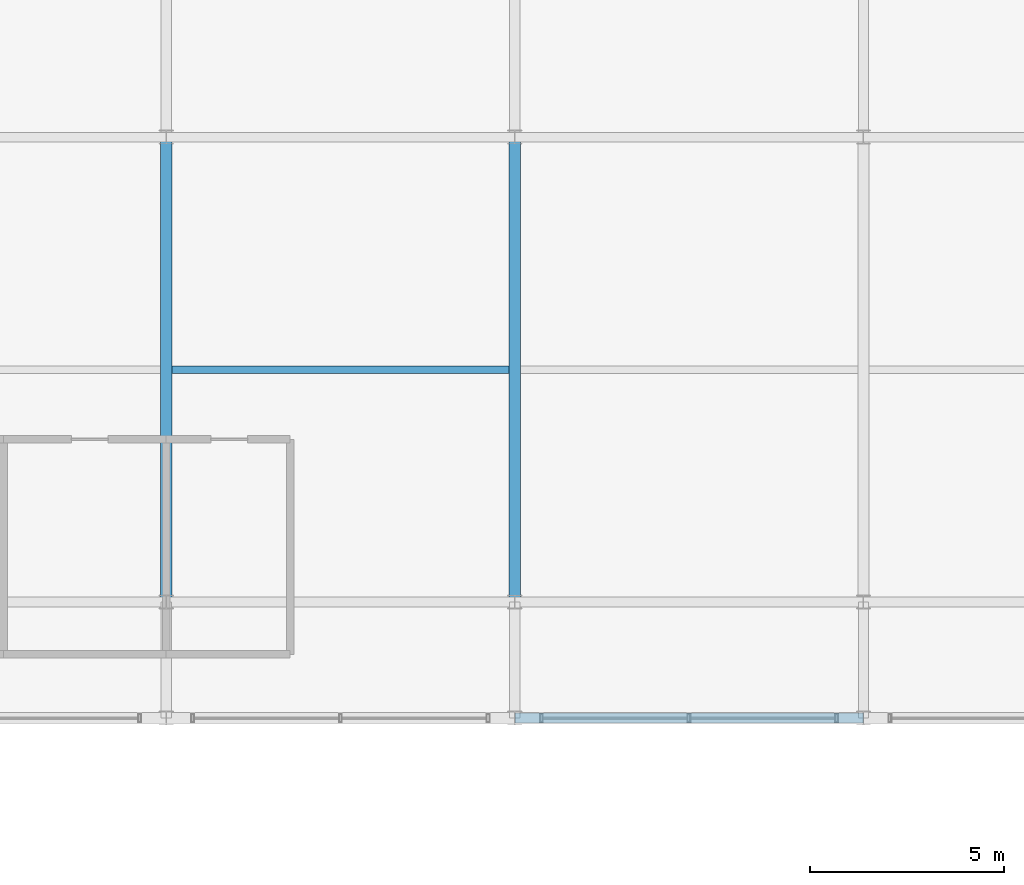
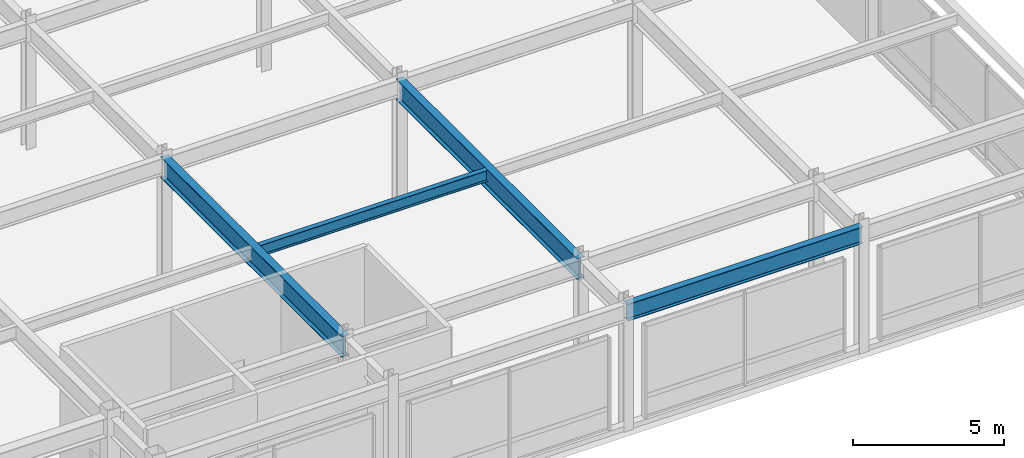
# One storey, part 62 of 100: 4 beams.
"""IFC4 building model written with IfcOpenShell, lengths in metres."""

from ifc_helpers import new_model, si_unit, direction, frame, origin, origin_2d, place, context, subcontext, project, spatial, i_section, extrude, material, material_profile, profile_set, type_object, element, save


model = new_model("IFC4")

# Units and contexts
model_context = context("Model", 3, precision=1e-05, world=origin(), true_north=direction((0.0, 1.0)))
body_context = subcontext(model_context, "Body", "Model", "MODEL_VIEW")
ifc_project = project(units=[si_unit("LENGTHUNIT", "METRE"), si_unit("AREAUNIT", "SQUARE_METRE"), si_unit("VOLUMEUNIT", "CUBIC_METRE"), si_unit("PLANEANGLEUNIT", "RADIAN"), si_unit("MASSUNIT", "GRAM", prefix="KILO")], contexts=[model_context])

# Site, building, storey
site_placement = place(None, origin())
site = spatial("IfcSite", under=ifc_project, at=site_placement, CompositionType="ELEMENT")
building_placement = place(site_placement, origin())
building = spatial("IfcBuilding", under=site, at=building_placement, Name="Kaldorvane Square Convention Centre", CompositionType="ELEMENT")
storey_placement = place(building_placement, frame((0.0, 0.0, 18.0)))
storey = spatial("IfcBuildingStorey", under=building, at=storey_placement, Name="L03", CompositionType="ELEMENT", Elevation=18.0)

# Beams
ifc_material = material(Name="Steel ASTM A992 Gr. 50", Category="steel")
ifc_material_profile_1 = material_profile(ifc_material, i_section(OverallWidth=0.25439453125, OverallDepth=0.6880950927734375, WebThickness=0.0131072998046875, FlangeThickness=0.0211029052734375, FilletRadius=0.01519775390625, at=origin_2d()), Name="W27X102")
ifc_profile_set_1 = profile_set([ifc_material_profile_1], Name="Steel ASTM A992 Gr. 50")
beam_type_1 = type_object("IfcBeamType", Name="BM-GR-W27X102", PredefinedType="BEAM", material=ifc_profile_set_1)
beam_1_placement = place(storey_placement, frame((156.0, 81.0, 4.731903076171875), z_axis=(1.0, 0.0, 0.0), x_axis=(0.0, 1.0, 0.0)))
element("IfcBeam", 1, at=beam_1_placement, inside=storey, type_object=beam_type_1, Name="Primary Girder (L03)", PredefinedType="BEAM", context=body_context, shape_type="SweptSolid", body=[
    extrude(i_section(OverallWidth=0.25439453125, OverallDepth=0.6880950927734375, WebThickness=0.0131072998046875, FlangeThickness=0.0211029052734375, FilletRadius=0.01519775390625, at=origin_2d()), origin(), (0.0, 0.0, 1.0), 9.0),
])
ifc_material_profile_2 = material_profile(ifc_material, i_section(OverallWidth=0.292999267578125, OverallDepth=0.845794677734375, WebThickness=0.0153961181640625, FlangeThickness=0.0243988037109375, FilletRadius=0.0178070068359375, at=origin_2d()), Name="W33X141")
ifc_profile_set_2 = profile_set([ifc_material_profile_2], Name="Steel ASTM A992 Gr. 50")
beam_type_2 = type_object("IfcBeamType", Name="BM-GR-W33X141", PredefinedType="BEAM", material=ifc_profile_set_2)
for number, where, z_axis, x_axis, name in (
    (2, (147.0, 84.0, 4.653106689453125), (0.0, 1.0, 0.0), (-1.0, 0.0, 0.0), "Transverse Girder (L03)"),
    (3, (156.0, 84.0, 4.653106689453125), (0.0, 1.0, 0.0), (-1.0, 0.0, 0.0), "Transverse Girder (L03)"),
):
    element("IfcBeam", number, at=place(storey_placement, frame(where, z_axis=z_axis, x_axis=x_axis)), inside=storey, type_object=beam_type_2, Name=name, PredefinedType="BEAM", context=body_context, shape_type="SweptSolid", body=[
        extrude(i_section(OverallWidth=0.292999267578125, OverallDepth=0.845794677734375, WebThickness=0.0153961181640625, FlangeThickness=0.0243988037109375, FilletRadius=0.0178070068359375, at=origin_2d()), origin(), (0.0, 0.0, 1.0), 12.0),
    ])
ifc_material_profile_3 = material_profile(ifc_material, i_section(OverallWidth=0.1912994384765625, OverallDepth=0.4600067138671875, WebThickness=0.0099029541015625, FlangeThickness=0.0160064697265625, FilletRadius=0.01019287109375, at=origin_2d()), Name="W18X55")
ifc_profile_set_3 = profile_set([ifc_material_profile_3], Name="Steel ASTM A992 Gr. 50")
beam_type_3 = type_object("IfcBeamType", Name="BM-JS-W18X55", PredefinedType="JOIST", material=ifc_profile_set_3)
beam_2_placement = place(storey_placement, frame((147.14649963378906, 90.0, 4.8459930419921875), z_axis=(1.0, 0.0, 0.0), x_axis=(0.0, 1.0, 0.0)))
element("IfcBeam", 4, at=beam_2_placement, inside=storey, type_object=beam_type_3, Name="Secondary Floor Joist (L03)", PredefinedType="JOIST", context=body_context, shape_type="SweptSolid", body=[
    extrude(i_section(OverallWidth=0.1912994384765625, OverallDepth=0.4600067138671875, WebThickness=0.0099029541015625, FlangeThickness=0.0160064697265625, FilletRadius=0.01019287109375, at=origin_2d()), origin(), (0.0, 0.0, 1.0), 8.707000732421875),
])

save(model, "model.ifc")
